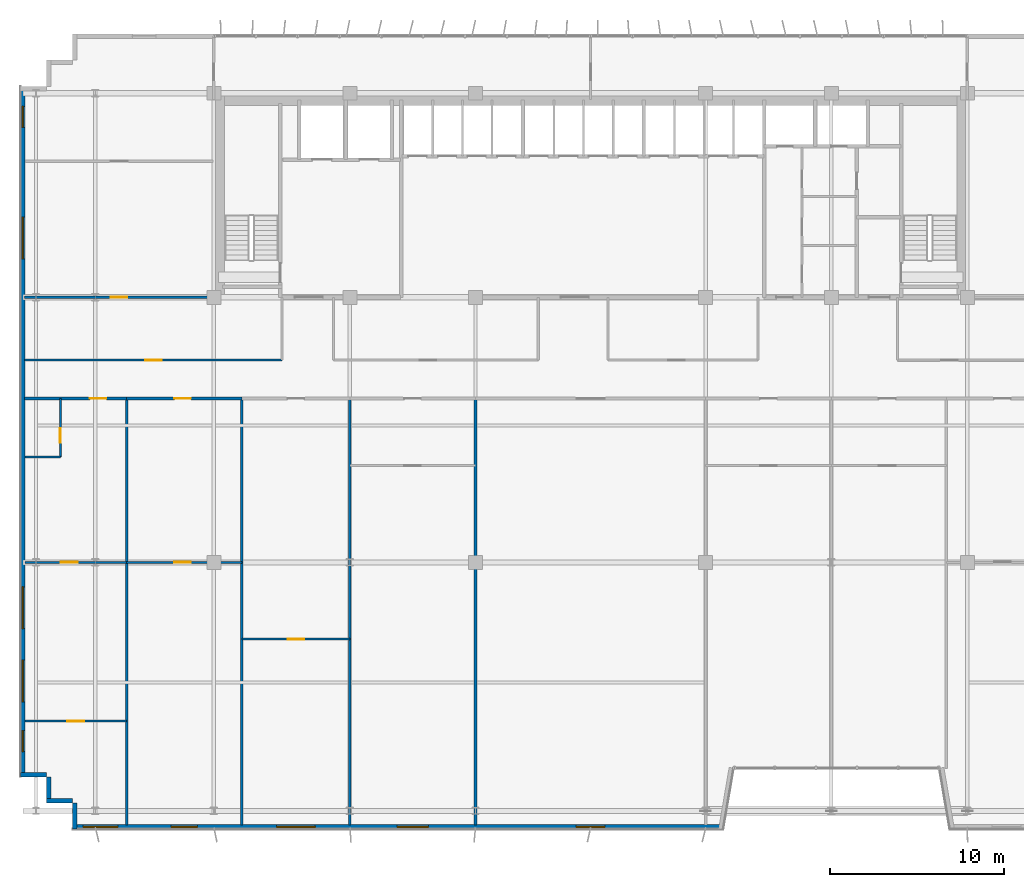
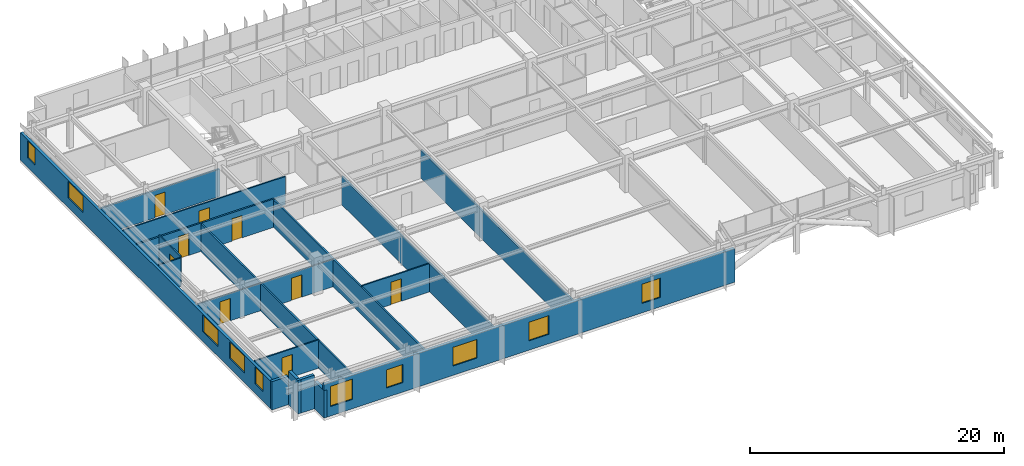
# One storey, part 19 of 26: 20 walls, 10 windows, 9 doors, 19 openings.
"""IFC4 building model written with IfcOpenShell, lengths in metres."""

from ifc_helpers import new_model, si_unit, direction, frame, frame_2d, origin, place, context, subcontext, project, spatial, rectangle, extrude, source, transform, mapped, material, layer, layer_set, type_object, element, fill, save


model = new_model("IFC4")

# Units and contexts
model_context = context("Model", 3, precision=1e-05, world=origin(), true_north=direction((0.0, 1.0)))
body_context = subcontext(model_context, "Body", "Model", "MODEL_VIEW")
ifc_project = project(units=[si_unit("LENGTHUNIT", "METRE"), si_unit("AREAUNIT", "SQUARE_METRE"), si_unit("VOLUMEUNIT", "CUBIC_METRE"), si_unit("PLANEANGLEUNIT", "RADIAN"), si_unit("MASSUNIT", "GRAM", prefix="KILO")], contexts=[model_context])

# Site, building, storey
site_placement = place(None, origin())
site = spatial("IfcSite", under=ifc_project, at=site_placement, CompositionType="ELEMENT")
building_placement = place(site_placement, origin())
building = spatial("IfcBuilding", under=site, at=building_placement, Name="Trelvane Seafront Commons", CompositionType="ELEMENT")
storey_placement = place(building_placement, frame((0.0, 0.0, 128.5)))
storey = spatial("IfcBuildingStorey", under=building, at=storey_placement, Name="L33", CompositionType="ELEMENT", Elevation=128.5)

# Walls
ifc_material_1 = material(Name="Precast concrete C40/50", Category="concrete")
ifc_layer_1 = layer(ifc_material_1, 0.260009765625, Name="ARCH-WALL-EXT260")
ifc_layer_set_1 = layer_set([ifc_layer_1], Name="Precast concrete C40/50")
wall_type_1 = type_object("IfcWallType", Name="ARCH-WALL-EXT260", PredefinedType="SOLIDWALL", material=ifc_layer_set_1)
for number, where, z_axis, x_axis, name in (
    (1, (7.5, 4.530029296875, 0.0), (0.0, 0.0, 1.0), (-1.0, 0.0, 0.0), "EW-L33-00631"),
    (2, (6.1298828125, 4.39990234375, 0.0), (0.0, 0.0, 1.0), (0.0, 1.0, 0.0), "EW-L33-00632"),
):
    element("IfcWall", number, at=place(storey_placement, frame(where, z_axis=z_axis, x_axis=x_axis)), inside=storey, type_object=wall_type_1, Name=name, PredefinedType="SOLIDWALL", context=body_context, shape_type="SweptSolid", body=[
        extrude(rectangle(XDim=1.5, YDim=0.260009765625, at=frame_2d((0.75, 0.0))), origin(), (0.0, 0.0, 1.0), 3.219970703125),
    ])
wall_1_placement = place(storey_placement, frame((6.0, 6.030029296875, 0.0), z_axis=(0.0, 0.0, 1.0), x_axis=(-1.0, 0.0, 0.0)))
element("IfcWall", 3, at=wall_1_placement, inside=storey, type_object=wall_type_1, Name="EW-L33-00633", PredefinedType="SOLIDWALL", context=body_context, shape_type="SweptSolid", body=[
    extrude(rectangle(XDim=1.5, YDim=0.260009765625, at=frame_2d((0.75, 0.0))), origin(), (0.0, 0.0, 1.0), 2.719970703125),
])

# Wall, openings, windows
wall_2_placement = place(storey_placement, frame((4.6298828125, 5.89990234375, 0.0), z_axis=(0.0, 0.0, 1.0), x_axis=(0.0, 1.0, 0.0)))
wall_2 = element("IfcWall", 4, at=wall_2_placement, inside=storey, type_object=wall_type_1, Name="EW-L33-00634", PredefinedType="SOLIDWALL", context=body_context, shape_type="SweptSolid", body=[
    extrude(rectangle(XDim=39.60009765625, YDim=0.260009765625, at=frame_2d((19.800048828125, 0.0))), origin(), (0.0, 0.0, 1.0), 2.632080078125),
])
opening_1_placement = place(wall_2_placement, frame((1.449951171875, 0.0, 0.919921875)))
opening_1 = element("IfcOpeningElement", 5, at=opening_1_placement, cuts=wall_2, Name="Opening W05", PredefinedType="OPENING", context=body_context, shape_type="SweptSolid", body=[
    extrude(rectangle(XDim=1.199951171875, YDim=1.610107421875, at=frame_2d((0.60009765625, 0.80517578125))), frame((0.0, 0.139892578125, 0.0), z_axis=(0.0, -1.0, 0.0), x_axis=(1.0, 0.0, 0.0)), (0.0, 0.0, 1.0), 0.280029296875),
])
opening_2_placement = place(wall_2_placement, frame((4.300048828125, 0.0, 0.919921875)))
opening_2 = element("IfcOpeningElement", 6, at=opening_2_placement, cuts=wall_2, Name="Opening W08", PredefinedType="OPENING", context=body_context, shape_type="SweptSolid", body=[
    extrude(rectangle(XDim=2.39990234375, YDim=1.610107421875, at=frame_2d((1.199951171875, 0.80517578125))), frame((0.0, 0.139892578125, 0.0), z_axis=(0.0, -1.0, 0.0), x_axis=(1.0, 0.0, 0.0)), (0.0, 0.0, 1.0), 0.280029296875),
])
opening_3_placement = place(wall_2_placement, frame((8.5, 0.0, 0.919921875)))
opening_3 = element("IfcOpeningElement", 7, at=opening_3_placement, cuts=wall_2, Name="Opening W08", PredefinedType="OPENING", context=body_context, shape_type="SweptSolid", body=[
    extrude(rectangle(XDim=2.39990234375, YDim=1.610107421875, at=frame_2d((1.199951171875, 0.80517578125))), frame((0.0, 0.139892578125, 0.0), z_axis=(0.0, -1.0, 0.0), x_axis=(1.0, 0.0, 0.0)), (0.0, 0.0, 1.0), 0.280029296875),
])
opening_4_placement = place(wall_2_placement, frame((29.699951171875, 0.0, 0.919921875)))
opening_4 = element("IfcOpeningElement", 8, at=opening_4_placement, cuts=wall_2, Name="Opening W08", PredefinedType="OPENING", context=body_context, shape_type="SweptSolid", body=[
    extrude(rectangle(XDim=2.39990234375, YDim=1.610107421875, at=frame_2d((1.199951171875, 0.80517578125))), frame((0.0, 0.139892578125, 0.0), z_axis=(0.0, -1.0, 0.0), x_axis=(1.0, 0.0, 0.0)), (0.0, 0.0, 1.0), 0.280029296875),
])
opening_5_placement = place(wall_2_placement, frame((37.25, 0.0, 0.919921875)))
opening_5 = element("IfcOpeningElement", 9, at=opening_5_placement, cuts=wall_2, Name="Opening W05", PredefinedType="OPENING", context=body_context, shape_type="SweptSolid", body=[
    extrude(rectangle(XDim=1.199951171875, YDim=1.610107421875, at=frame_2d((0.60009765625, 0.80517578125))), frame((0.0, 0.139892578125, 0.0), z_axis=(0.0, -1.0, 0.0), x_axis=(1.0, 0.0, 0.0)), (0.0, 0.0, 1.0), 0.280029296875),
])
ifc_material_2 = material(Name="Low-E coastal double glazing", Category="glass")
window_type_1 = type_object("IfcWindowType", Name="ARCH-WIN-W05", PartitioningType="SINGLE_PANEL", PredefinedType="WINDOW", material=ifc_material_2)
shared_shape_1 = source(origin(), body_context, "Body", "SweptSolid", [
    extrude(rectangle(XDim=1.199951171875, YDim=1.610107421875, at=frame_2d((0.60009765625, 0.80517578125))), frame((0.0, 0.030029296875, 0.0), z_axis=(0.0, -1.0, 0.0), x_axis=(1.0, 0.0, 0.0)), (0.0, 0.0, 1.0), 0.06005859375),
])
window_1_placement = place(opening_1_placement, origin())
window_1 = element("IfcWindow", 10, at=window_1_placement, inside=storey, type_object=window_type_1, Name="WIN-L33-EW-00741", OverallHeight=1.610107421875, OverallWidth=1.199951171875, PartitioningType="SINGLE_PANEL", PredefinedType="WINDOW", context=body_context, shape_type="MappedRepresentation", body=[
    mapped(shared_shape_1, transform((0.0, 0.0, 0.0), x_axis=(1.0, 0.0, 0.0), y_axis=(0.0, 1.0, 0.0), z_axis=(0.0, 0.0, 1.0), scale=1.0)),
])
fill(opening_1, window_1)
window_2_placement = place(opening_5_placement, origin())
window_2 = element("IfcWindow", 11, at=window_2_placement, inside=storey, type_object=window_type_1, Name="WIN-L33-EW-00745", OverallHeight=1.610107421875, OverallWidth=1.199951171875, PartitioningType="SINGLE_PANEL", PredefinedType="WINDOW", context=body_context, shape_type="MappedRepresentation", body=[
    mapped(shared_shape_1, transform((0.0, 0.0, 0.0), x_axis=(1.0, 0.0, 0.0), y_axis=(0.0, 1.0, 0.0), z_axis=(0.0, 0.0, 1.0), scale=1.0)),
])
fill(opening_5, window_2)
window_type_2 = type_object("IfcWindowType", Name="ARCH-WIN-W08", PartitioningType="SINGLE_PANEL", PredefinedType="WINDOW", material=ifc_material_2)
shared_shape_2 = source(origin(), body_context, "Body", "SweptSolid", [
    extrude(rectangle(XDim=2.39990234375, YDim=1.610107421875, at=frame_2d((1.199951171875, 0.80517578125))), frame((0.0, 0.030029296875, 0.0), z_axis=(0.0, -1.0, 0.0), x_axis=(1.0, 0.0, 0.0)), (0.0, 0.0, 1.0), 0.06005859375),
])
window_3_placement = place(opening_2_placement, origin())
window_3 = element("IfcWindow", 12, at=window_3_placement, inside=storey, type_object=window_type_2, Name="WIN-L33-EW-00742", OverallHeight=1.610107421875, OverallWidth=2.39990234375, PartitioningType="SINGLE_PANEL", PredefinedType="WINDOW", context=body_context, shape_type="MappedRepresentation", body=[
    mapped(shared_shape_2, transform((0.0, 0.0, 0.0), x_axis=(1.0, 0.0, 0.0), y_axis=(0.0, 1.0, 0.0), z_axis=(0.0, 0.0, 1.0), scale=1.0)),
])
fill(opening_2, window_3)
window_4_placement = place(opening_3_placement, origin())
window_4 = element("IfcWindow", 13, at=window_4_placement, inside=storey, type_object=window_type_2, Name="WIN-L33-EW-00743", OverallHeight=1.610107421875, OverallWidth=2.39990234375, PartitioningType="SINGLE_PANEL", PredefinedType="WINDOW", context=body_context, shape_type="MappedRepresentation", body=[
    mapped(shared_shape_2, transform((0.0, 0.0, 0.0), x_axis=(1.0, 0.0, 0.0), y_axis=(0.0, 1.0, 0.0), z_axis=(0.0, 0.0, 1.0), scale=1.0)),
])
fill(opening_3, window_4)
window_5_placement = place(opening_4_placement, origin())
window_5 = element("IfcWindow", 14, at=window_5_placement, inside=storey, type_object=window_type_2, Name="WIN-L33-EW-00744", OverallHeight=1.610107421875, OverallWidth=2.39990234375, PartitioningType="SINGLE_PANEL", PredefinedType="WINDOW", context=body_context, shape_type="MappedRepresentation", body=[
    mapped(shared_shape_2, transform((0.0, 0.0, 0.0), x_axis=(1.0, 0.0, 0.0), y_axis=(0.0, 1.0, 0.0), z_axis=(0.0, 0.0, 1.0), scale=1.0)),
])
fill(opening_4, window_5)

wall_3_placement = place(storey_placement, frame((44.800048828125, 3.030029296875, 0.0), z_axis=(0.0, 0.0, 1.0), x_axis=(-1.0, 0.0, 0.0)))
wall_3 = element("IfcWall", 15, at=wall_3_placement, inside=storey, type_object=wall_type_1, Name="EW-L33-00651", PredefinedType="SOLIDWALL", context=body_context, shape_type="SweptSolid", body=[
    extrude(rectangle(XDim=37.300048828125, YDim=0.260009765625, at=frame_2d((18.64990234375, 0.0))), origin(), (0.0, 0.0, 1.0), 3.219970703125),
])
opening_6_placement = place(wall_3_placement, frame((6.77490234375, 0.0, 0.89990234375)))
opening_6 = element("IfcOpeningElement", 16, at=opening_6_placement, cuts=wall_3, Name="Opening W07", PredefinedType="OPENING", context=body_context, shape_type="SweptSolid", body=[
    extrude(rectangle(XDim=1.64990234375, YDim=1.85009765625, at=frame_2d((0.824951171875, 0.925048828125))), frame((0.0, 0.139892578125, 0.0), z_axis=(0.0, -1.0, 0.0), x_axis=(1.0, 0.0, 0.0)), (0.0, 0.0, 1.0), 0.280029296875),
])
opening_7_placement = place(wall_3_placement, frame((16.89990234375, 0.0, 0.89990234375)))
opening_7 = element("IfcOpeningElement", 17, at=opening_7_placement, cuts=wall_3, Name="Opening W01", PredefinedType="OPENING", context=body_context, shape_type="SweptSolid", body=[
    extrude(rectangle(XDim=1.800048828125, YDim=1.800048828125, at=frame_2d((0.89990234375, 0.89990234375))), frame((0.0, 0.139892578125, 0.0), z_axis=(0.0, -1.0, 0.0), x_axis=(1.0, 0.0, 0.0)), (0.0, 0.0, 1.0), 0.280029296875),
])
opening_8_placement = place(wall_3_placement, frame((23.39990234375, 0.0, 0.89990234375)))
opening_8 = element("IfcOpeningElement", 18, at=opening_8_placement, cuts=wall_3, Name="Opening W02", PredefinedType="OPENING", context=body_context, shape_type="SweptSolid", body=[
    extrude(rectangle(XDim=2.199951171875, YDim=1.800048828125, at=frame_2d((1.10009765625, 0.89990234375))), frame((0.0, 0.139892578125, 0.0), z_axis=(0.0, -1.0, 0.0), x_axis=(1.0, 0.0, 0.0)), (0.0, 0.0, 1.0), 0.280029296875),
])
opening_9_placement = place(wall_3_placement, frame((30.14990234375, 0.0, 0.89990234375)))
opening_9 = element("IfcOpeningElement", 19, at=opening_9_placement, cuts=wall_3, Name="Opening W03", PredefinedType="OPENING", context=body_context, shape_type="SweptSolid", body=[
    extrude(rectangle(XDim=1.5, YDim=1.75, at=frame_2d((0.75, 0.875))), frame((0.0, 0.139892578125, 0.0), z_axis=(0.0, -1.0, 0.0), x_axis=(1.0, 0.0, 0.0)), (0.0, 0.0, 1.0), 0.280029296875),
])
opening_10_placement = place(wall_3_placement, frame((34.705078125, 0.0, 0.89990234375)))
opening_10 = element("IfcOpeningElement", 20, at=opening_10_placement, cuts=wall_3, Name="Opening W06", PredefinedType="OPENING", context=body_context, shape_type="SweptSolid", body=[
    extrude(rectangle(XDim=2.0, YDim=1.949951171875, at=frame_2d((1.0, 0.97509765625))), frame((0.0, 0.139892578125, 0.0), z_axis=(0.0, -1.0, 0.0), x_axis=(1.0, 0.0, 0.0)), (0.0, 0.0, 1.0), 0.280029296875),
])
window_type_3 = type_object("IfcWindowType", Name="ARCH-WIN-W02", PartitioningType="SINGLE_PANEL", PredefinedType="WINDOW", material=ifc_material_2)
shared_shape_3 = source(origin(), body_context, "Body", "SweptSolid", [
    extrude(rectangle(XDim=2.199951171875, YDim=1.800048828125, at=frame_2d((1.10009765625, 0.89990234375))), frame((0.0, 0.030029296875, 0.0), z_axis=(0.0, -1.0, 0.0), x_axis=(1.0, 0.0, 0.0)), (0.0, 0.0, 1.0), 0.06005859375),
])
window_6_placement = place(opening_8_placement, origin())
window_6 = element("IfcWindow", 21, at=window_6_placement, inside=storey, type_object=window_type_3, Name="WIN-L33-00756", OverallHeight=1.800048828125, OverallWidth=2.199951171875, PartitioningType="SINGLE_PANEL", PredefinedType="WINDOW", context=body_context, shape_type="MappedRepresentation", body=[
    mapped(shared_shape_3, transform((0.0, 0.0, 0.0), x_axis=(1.0, 0.0, 0.0), y_axis=(0.0, 1.0, 0.0), z_axis=(0.0, 0.0, 1.0), scale=1.0)),
])
fill(opening_8, window_6)
window_type_4 = type_object("IfcWindowType", Name="ARCH-WIN-W03", PartitioningType="SINGLE_PANEL", PredefinedType="WINDOW", material=ifc_material_2)
shared_shape_4 = source(origin(), body_context, "Body", "SweptSolid", [
    extrude(rectangle(XDim=1.5, YDim=1.75, at=frame_2d((0.75, 0.875))), frame((0.0, 0.030029296875, 0.0), z_axis=(0.0, -1.0, 0.0), x_axis=(1.0, 0.0, 0.0)), (0.0, 0.0, 1.0), 0.06005859375),
])
window_7_placement = place(opening_9_placement, origin())
window_7 = element("IfcWindow", 22, at=window_7_placement, inside=storey, type_object=window_type_4, Name="WIN-L33-00757", OverallHeight=1.75, OverallWidth=1.5, PartitioningType="SINGLE_PANEL", PredefinedType="WINDOW", context=body_context, shape_type="MappedRepresentation", body=[
    mapped(shared_shape_4, transform((0.0, 0.0, 0.0), x_axis=(1.0, 0.0, 0.0), y_axis=(0.0, 1.0, 0.0), z_axis=(0.0, 0.0, 1.0), scale=1.0)),
])
fill(opening_9, window_7)
window_type_5 = type_object("IfcWindowType", Name="ARCH-WIN-W06", PartitioningType="SINGLE_PANEL", PredefinedType="WINDOW", material=ifc_material_2)
shared_shape_5 = source(origin(), body_context, "Body", "SweptSolid", [
    extrude(rectangle(XDim=2.0, YDim=1.949951171875, at=frame_2d((1.0, 0.97509765625))), frame((0.0, 0.030029296875, 0.0), z_axis=(0.0, -1.0, 0.0), x_axis=(1.0, 0.0, 0.0)), (0.0, 0.0, 1.0), 0.06005859375),
])
window_8_placement = place(opening_10_placement, origin())
window_8 = element("IfcWindow", 23, at=window_8_placement, inside=storey, type_object=window_type_5, Name="WIN-L33-00758", OverallHeight=1.949951171875, OverallWidth=2.0, PartitioningType="SINGLE_PANEL", PredefinedType="WINDOW", context=body_context, shape_type="MappedRepresentation", body=[
    mapped(shared_shape_5, transform((0.0, 0.0, 0.0), x_axis=(1.0, 0.0, 0.0), y_axis=(0.0, 1.0, 0.0), z_axis=(0.0, 0.0, 1.0), scale=1.0)),
])
fill(opening_10, window_8)
window_type_6 = type_object("IfcWindowType", Name="ARCH-WIN-W01", PartitioningType="SINGLE_PANEL", PredefinedType="WINDOW", material=ifc_material_2)
shared_shape_6 = source(origin(), body_context, "Body", "SweptSolid", [
    extrude(rectangle(XDim=1.800048828125, YDim=1.800048828125, at=frame_2d((0.89990234375, 0.89990234375))), frame((0.0, 0.030029296875, 0.0), z_axis=(0.0, -1.0, 0.0), x_axis=(1.0, 0.0, 0.0)), (0.0, 0.0, 1.0), 0.06005859375),
])
window_9_placement = place(opening_7_placement, origin())
window_9 = element("IfcWindow", 24, at=window_9_placement, inside=storey, type_object=window_type_6, Name="WIN-L33-00755", OverallHeight=1.800048828125, OverallWidth=1.800048828125, PartitioningType="SINGLE_PANEL", PredefinedType="WINDOW", context=body_context, shape_type="MappedRepresentation", body=[
    mapped(shared_shape_6, transform((0.0, 0.0, 0.0), x_axis=(1.0, 0.0, 0.0), y_axis=(0.0, 1.0, 0.0), z_axis=(0.0, 0.0, 1.0), scale=1.0)),
])
fill(opening_7, window_9)
window_type_7 = type_object("IfcWindowType", Name="ARCH-WIN-W07", PartitioningType="SINGLE_PANEL", PredefinedType="WINDOW", material=ifc_material_2)
shared_shape_7 = source(origin(), body_context, "Body", "SweptSolid", [
    extrude(rectangle(XDim=1.64990234375, YDim=1.85009765625, at=frame_2d((0.824951171875, 0.925048828125))), frame((0.0, 0.030029296875, 0.0), z_axis=(0.0, -1.0, 0.0), x_axis=(1.0, 0.0, 0.0)), (0.0, 0.0, 1.0), 0.06005859375),
])
window_10_placement = place(opening_6_placement, origin())
window_10 = element("IfcWindow", 25, at=window_10_placement, inside=storey, type_object=window_type_7, Name="WIN-L33-00754", OverallHeight=1.85009765625, OverallWidth=1.64990234375, PartitioningType="SINGLE_PANEL", PredefinedType="WINDOW", context=body_context, shape_type="MappedRepresentation", body=[
    mapped(shared_shape_7, transform((0.0, 0.0, 0.0), x_axis=(1.0, 0.0, 0.0), y_axis=(0.0, 1.0, 0.0), z_axis=(0.0, 0.0, 1.0), scale=1.0)),
])
fill(opening_6, window_10)

# Wall
wall_4_placement = place(storey_placement, frame((7.6298828125, 2.89990234375, 0.0), z_axis=(0.0, 0.0, 1.0), x_axis=(0.0, 1.0, 0.0)))
element("IfcWall", 26, at=wall_4_placement, inside=storey, type_object=wall_type_1, Name="EW-L33-00652", PredefinedType="SOLIDWALL", context=body_context, shape_type="SweptSolid", body=[
    extrude(rectangle(XDim=1.5, YDim=0.260009765625, at=frame_2d((0.75, 0.0))), origin(), (0.0, 0.0, 1.0), 2.632080078125),
])

# Wall, opening, door
ifc_material_3 = material(Name="Gypsum Drywall Acoustic Partition")
ifc_layer_2 = layer(ifc_material_3, 0.1201171875, Name="ARCH-WALL-PART120")
ifc_layer_set_2 = layer_set([ifc_layer_2], Name="Gypsum Drywall Acoustic Partition")
wall_type_2 = type_object("IfcWallType", Name="ARCH-WALL-PART120", PredefinedType="PARTITIONING", material=ifc_layer_set_2)
wall_5_placement = place(storey_placement, frame((4.75, 29.800048828125, 0.0), z_axis=(0.0, 0.0, 1.0), x_axis=(1.0, 0.0, 0.0)))
wall_5 = element("IfcWall", 27, at=wall_5_placement, inside=storey, type_object=wall_type_2, Name="W-L33-CORR-N-W-039", PredefinedType="PARTITIONING", context=body_context, shape_type="SweptSolid", body=[
    extrude(rectangle(XDim=14.75, YDim=0.1201171875, at=frame_2d((7.375, 0.0))), origin(), (0.0, 0.0, 1.0), 2.719970703125),
])
opening_11_placement = place(wall_5_placement, frame((6.89990234375, 0.0, 0.0)))
opening_11 = element("IfcOpeningElement", 28, at=opening_11_placement, cuts=wall_5, Name="Opening D-L33-27", PredefinedType="OPENING", context=body_context, shape_type="SweptSolid", body=[
    extrude(rectangle(XDim=0.949951171875, YDim=2.14990234375, at=frame_2d((0.47509765625, 1.074951171875))), frame((0.0, 0.070068359375, 0.0), z_axis=(0.0, -1.0, 0.0), x_axis=(1.0, 0.0, 0.0)), (0.0, 0.0, 1.0), 0.14013671875),
])
ifc_material_4 = material(Name="Acoustic timber door leaf", Category="wood")
door_type_1 = type_object("IfcDoorType", Name="ARCH-DR-INT950", OperationType="NOTDEFINED", PredefinedType="DOOR", material=ifc_material_4)
shared_shape_8 = source(origin(), body_context, "Body", "SweptSolid", [
    extrude(rectangle(XDim=0.949951171875, YDim=2.14990234375, at=frame_2d((0.47509765625, 1.074951171875))), frame((0.0, 0.02490234375, 0.0), z_axis=(0.0, -1.0, 0.0), x_axis=(1.0, 0.0, 0.0)), (0.0, 0.0, 1.0), 0.050048828125),
])
door_1_placement = place(opening_11_placement, origin())
door_1 = element("IfcDoor", 29, at=door_1_placement, inside=storey, type_object=door_type_1, Name="L33 Door 27", OperationType="SINGLE_SWING_LEFT", OverallHeight=2.14990234375, OverallWidth=0.949951171875, PredefinedType="DOOR", context=body_context, shape_type="MappedRepresentation", body=[
    mapped(shared_shape_8, transform((0.0, 0.0, 0.0), x_axis=(1.0, 0.0, 0.0), y_axis=(0.0, 1.0, 0.0), z_axis=(0.0, 0.0, 1.0), scale=1.0)),
])
fill(opening_11, door_1)

wall_6_placement = place(storey_placement, frame((4.760009765625, 18.199951171875, 0.0), z_axis=(0.0, 0.0, 1.0), x_axis=(1.0, 0.0, 0.0)))
wall_6 = element("IfcWall", 30, at=wall_6_placement, inside=storey, type_object=wall_type_2, Name="W-L33-U1-KL-064", PredefinedType="PARTITIONING", context=body_context, shape_type="SweptSolid", body=[
    extrude(rectangle(XDim=5.840087890625, YDim=0.1201171875, at=frame_2d((2.919921875, 0.0))), origin(), (0.0, 0.0, 1.0), 2.632080078125),
])
opening_12_placement = place(wall_6_placement, frame((2.070068359375, 0.0, 0.0)))
opening_12 = element("IfcOpeningElement", 31, at=opening_12_placement, cuts=wall_6, Name="Opening D-L33-38", PredefinedType="OPENING", context=body_context, shape_type="SweptSolid", body=[
    extrude(rectangle(XDim=0.949951171875, YDim=2.14990234375, at=frame_2d((0.47509765625, 1.074951171875))), frame((0.0, 0.070068359375, 0.0), z_axis=(0.0, -1.0, 0.0), x_axis=(1.0, 0.0, 0.0)), (0.0, 0.0, 1.0), 0.14013671875),
])
door_2_placement = place(opening_12_placement, origin())
door_2 = element("IfcDoor", 32, at=door_2_placement, inside=storey, type_object=door_type_1, Name="L33 Door 38", OperationType="SINGLE_SWING_RIGHT", OverallHeight=2.14990234375, OverallWidth=0.949951171875, PredefinedType="DOOR", context=body_context, shape_type="MappedRepresentation", body=[
    mapped(shared_shape_8, transform((0.0, 0.0, 0.0), x_axis=(1.0, 0.0, 0.0), y_axis=(0.0, 1.0, 0.0), z_axis=(0.0, 0.0, 1.0), scale=1.0)),
])
fill(opening_12, door_2)

wall_7_placement = place(storey_placement, frame((6.795654296875, 24.25, 0.0), z_axis=(0.0, 0.0, 1.0), x_axis=(0.0, 1.0, 0.0)))
wall_7 = element("IfcWall", 33, at=wall_7_placement, inside=storey, type_object=wall_type_2, Name="W-L33-U1-BE-065", PredefinedType="PARTITIONING", context=body_context, shape_type="SweptSolid", body=[
    extrude(rectangle(XDim=3.35009765625, YDim=0.1201171875, at=frame_2d((1.675048828125, 0.0))), origin(), (0.0, 0.0, 1.0), 2.8701171875),
])
opening_13_placement = place(wall_7_placement, frame((0.800048828125, 0.0, 0.0)))
opening_13 = element("IfcOpeningElement", 34, at=opening_13_placement, cuts=wall_7, Name="Opening D-L33-39", PredefinedType="OPENING", context=body_context, shape_type="SweptSolid", body=[
    extrude(rectangle(XDim=0.85009765625, YDim=2.10009765625, at=frame_2d((0.425048828125, 1.050048828125))), frame((0.0, 0.070068359375, 0.0), z_axis=(0.0, -1.0, 0.0), x_axis=(1.0, 0.0, 0.0)), (0.0, 0.0, 1.0), 0.14013671875),
])
door_type_2 = type_object("IfcDoorType", Name="ARCH-DR-INT850", OperationType="NOTDEFINED", PredefinedType="DOOR", material=ifc_material_4)
shared_shape_9 = source(origin(), body_context, "Body", "SweptSolid", [
    extrude(rectangle(XDim=0.85009765625, YDim=2.10009765625, at=frame_2d((0.425048828125, 1.050048828125))), frame((0.0, 0.02490234375, 0.0), z_axis=(0.0, -1.0, 0.0), x_axis=(1.0, 0.0, 0.0)), (0.0, 0.0, 1.0), 0.050048828125),
])
door_3_placement = place(opening_13_placement, origin())
door_3 = element("IfcDoor", 35, at=door_3_placement, inside=storey, type_object=door_type_2, Name="L33 Door 39", OperationType="SINGLE_SWING_LEFT", OverallHeight=2.10009765625, OverallWidth=0.85009765625, PredefinedType="DOOR", context=body_context, shape_type="MappedRepresentation", body=[
    mapped(shared_shape_9, transform((0.0, 0.0, 0.0), x_axis=(1.0, 0.0, 0.0), y_axis=(0.0, 1.0, 0.0), z_axis=(0.0, 0.0, 1.0), scale=1.0)),
])
fill(opening_13, door_3)

# Wall
wall_8_placement = place(storey_placement, frame((4.760009765625, 24.25, 0.0), z_axis=(0.0, 0.0, 1.0), x_axis=(1.0, 0.0, 0.0)))
element("IfcWall", 36, at=wall_8_placement, inside=storey, type_object=wall_type_2, Name="W-L33-U1-BS-066", PredefinedType="PARTITIONING", context=body_context, shape_type="SweptSolid", body=[
    extrude(rectangle(XDim=2.03564453125, YDim=0.1201171875, at=frame_2d((1.017822265625, 0.0))), origin(), (0.0, 0.0, 1.0), 2.719970703125),
])

# Wall, opening, door
wall_9_placement = place(storey_placement, frame((4.760009765625, 9.10009765625, 0.0), z_axis=(0.0, 0.0, 1.0), x_axis=(1.0, 0.0, 0.0)))
wall_9 = element("IfcWall", 37, at=wall_9_placement, inside=storey, type_object=wall_type_2, Name="W-L33-U1-YM-1-068", PredefinedType="PARTITIONING", context=body_context, shape_type="SweptSolid", body=[
    extrude(rectangle(XDim=5.840087890625, YDim=0.1201171875, at=frame_2d((2.919921875, 0.0))), origin(), (0.0, 0.0, 1.0), 2.719970703125),
])
opening_14_placement = place(wall_9_placement, frame((2.445068359375, 0.0, 0.0)))
opening_14 = element("IfcOpeningElement", 38, at=opening_14_placement, cuts=wall_9, Name="Opening D-L33-41", PredefinedType="OPENING", context=body_context, shape_type="SweptSolid", body=[
    extrude(rectangle(XDim=0.949951171875, YDim=2.14990234375, at=frame_2d((0.47509765625, 1.074951171875))), frame((0.0, 0.070068359375, 0.0), z_axis=(0.0, -1.0, 0.0), x_axis=(1.0, 0.0, 0.0)), (0.0, 0.0, 1.0), 0.14013671875),
])
door_4_placement = place(opening_14_placement, origin())
door_4 = element("IfcDoor", 39, at=door_4_placement, inside=storey, type_object=door_type_1, Name="L33 Door 41", OperationType="SINGLE_SWING_LEFT", OverallHeight=2.14990234375, OverallWidth=0.949951171875, PredefinedType="DOOR", context=body_context, shape_type="MappedRepresentation", body=[
    mapped(shared_shape_8, transform((0.0, 0.0, 0.0), x_axis=(1.0, 0.0, 0.0), y_axis=(0.0, 1.0, 0.0), z_axis=(0.0, 0.0, 1.0), scale=1.0)),
])
fill(opening_14, door_4)

wall_10_placement = place(storey_placement, frame((10.60009765625, 18.199951171875, 0.0), z_axis=(0.0, 0.0, 1.0), x_axis=(1.0, 0.0, 0.0)))
wall_10 = element("IfcWall", 40, at=wall_10_placement, inside=storey, type_object=wall_type_2, Name="W-L33-U2-DIV-070", PredefinedType="PARTITIONING", context=body_context, shape_type="SweptSolid", body=[
    extrude(rectangle(XDim=6.599853515625, YDim=0.1201171875, at=frame_2d((3.2998046875, 0.0))), origin(), (0.0, 0.0, 1.0), 2.632080078125),
])
opening_15_placement = place(wall_10_placement, frame((2.73388671875, 0.0, 0.0)))
opening_15 = element("IfcOpeningElement", 41, at=opening_15_placement, cuts=wall_10, Name="Opening D-L33-43", PredefinedType="OPENING", context=body_context, shape_type="SweptSolid", body=[
    extrude(rectangle(XDim=0.949951171875, YDim=2.14990234375, at=frame_2d((0.47509765625, 1.074951171875))), frame((0.0, 0.070068359375, 0.0), z_axis=(0.0, -1.0, 0.0), x_axis=(1.0, 0.0, 0.0)), (0.0, 0.0, 1.0), 0.14013671875),
])
door_5_placement = place(opening_15_placement, origin())
door_5 = element("IfcDoor", 42, at=door_5_placement, inside=storey, type_object=door_type_1, Name="L33 Door 43", OperationType="SINGLE_SWING_LEFT", OverallHeight=2.14990234375, OverallWidth=0.949951171875, PredefinedType="DOOR", context=body_context, shape_type="MappedRepresentation", body=[
    mapped(shared_shape_8, transform((0.0, 0.0, 0.0), x_axis=(1.0, 0.0, 0.0), y_axis=(0.0, 1.0, 0.0), z_axis=(0.0, 0.0, 1.0), scale=1.0)),
])
fill(opening_15, door_5)

wall_11_placement = place(storey_placement, frame((17.199951171875, 13.800048828125, 0.0), z_axis=(0.0, 0.0, 1.0), x_axis=(1.0, 0.0, 0.0)))
wall_11 = element("IfcWall", 43, at=wall_11_placement, inside=storey, type_object=wall_type_2, Name="W-L33-U3-DIV-072", PredefinedType="PARTITIONING", context=body_context, shape_type="SweptSolid", body=[
    extrude(rectangle(XDim=6.199951171875, YDim=0.1201171875, at=frame_2d((3.10009765625, 0.0))), origin(), (0.0, 0.0, 1.0), 2.719970703125),
])
opening_16_placement = place(wall_11_placement, frame((2.625, 0.0, 0.0)))
opening_16 = element("IfcOpeningElement", 44, at=opening_16_placement, cuts=wall_11, Name="Opening D-L33-45", PredefinedType="OPENING", context=body_context, shape_type="SweptSolid", body=[
    extrude(rectangle(XDim=0.949951171875, YDim=2.14990234375, at=frame_2d((0.47509765625, 1.074951171875))), frame((0.0, 0.070068359375, 0.0), z_axis=(0.0, -1.0, 0.0), x_axis=(1.0, 0.0, 0.0)), (0.0, 0.0, 1.0), 0.14013671875),
])
door_6_placement = place(opening_16_placement, origin())
door_6 = element("IfcDoor", 45, at=door_6_placement, inside=storey, type_object=door_type_1, Name="L33 Door 45", OperationType="SINGLE_SWING_LEFT", OverallHeight=2.14990234375, OverallWidth=0.949951171875, PredefinedType="DOOR", context=body_context, shape_type="MappedRepresentation", body=[
    mapped(shared_shape_8, transform((0.0, 0.0, 0.0), x_axis=(1.0, 0.0, 0.0), y_axis=(0.0, 1.0, 0.0), z_axis=(0.0, 0.0, 1.0), scale=1.0)),
])
fill(opening_16, door_6)

ifc_layer_3 = layer(ifc_material_3, 0.14990234375, Name="ARCH-WALL-PART150")
ifc_layer_set_3 = layer_set([ifc_layer_3], Name="Gypsum Drywall Acoustic Partition")
wall_type_3 = type_object("IfcWallType", Name="ARCH-WALL-PART150", PredefinedType="PARTITIONING", material=ifc_layer_set_3)
wall_12_placement = place(storey_placement, frame((4.75, 33.39990234375, 0.0), z_axis=(0.0, 0.0, 1.0), x_axis=(1.0, 0.0, 0.0)))
wall_12 = element("IfcWall", 46, at=wall_12_placement, inside=storey, type_object=wall_type_3, Name="W-L33-NW-ENT-051", PredefinedType="PARTITIONING", context=body_context, shape_type="SweptSolid", body=[
    extrude(rectangle(XDim=10.85009765625, YDim=0.14990234375, at=frame_2d((5.425048828125, 0.0))), origin(), (0.0, 0.0, 1.0), 2.632080078125),
])
opening_17_placement = place(wall_12_placement, frame((4.93994140625, 0.0, 0.0)))
opening_17 = element("IfcOpeningElement", 47, at=opening_17_placement, cuts=wall_12, Name="Opening FD-L33-33", PredefinedType="OPENING", context=body_context, shape_type="SweptSolid", body=[
    extrude(rectangle(XDim=0.949951171875, YDim=2.14990234375, at=frame_2d((0.47509765625, 1.074951171875))), frame((0.0, 0.0849609375, 0.0), z_axis=(0.0, -1.0, 0.0), x_axis=(1.0, 0.0, 0.0)), (0.0, 0.0, 1.0), 0.169921875),
])
ifc_material_5 = material(Name="Powder-coated aluminium frame", Category="aluminium")
door_type_3 = type_object("IfcDoorType", Name="ARCH-DR-FD60-950", OperationType="NOTDEFINED", PredefinedType="DOOR", material=ifc_material_5)
door_7_placement = place(opening_17_placement, origin())
door_7 = element("IfcDoor", 48, at=door_7_placement, inside=storey, type_object=door_type_3, Name="L33 NW Suite Entrance Door", OperationType="SINGLE_SWING_LEFT", OverallHeight=2.14990234375, OverallWidth=0.949951171875, PredefinedType="DOOR", context=body_context, shape_type="MappedRepresentation", body=[
    mapped(shared_shape_8, transform((0.0, 0.0, 0.0), x_axis=(1.0, 0.0, 0.0), y_axis=(0.0, 1.0, 0.0), z_axis=(0.0, 0.0, 1.0), scale=1.0)),
])
fill(opening_17, door_7)

# Walls
for number, where, z_axis, x_axis, name in (
    (49, (10.60009765625, 3.14501953125, 0.0), (0.0, 0.0, 1.0), (0.0, 1.0, 0.0), "W-L33-PW-1-056"),
    (50, (17.199951171875, 3.14501953125, 0.0), (0.0, 0.0, 1.0), (0.0, 1.0, 0.0), "W-L33-PW-2-057"),
):
    element("IfcWall", number, at=place(storey_placement, frame(where, z_axis=z_axis, x_axis=x_axis)), inside=storey, type_object=wall_type_3, Name=name, PredefinedType="PARTITIONING", context=body_context, shape_type="SweptSolid", body=[
        extrude(rectangle(XDim=24.455078125, YDim=0.14990234375, at=frame_2d((12.2275390625, 0.0))), origin(), (0.0, 0.0, 1.0), 2.632080078125),
    ])
for number, where, z_axis, x_axis, name in (
    (51, (23.39990234375, 3.14501953125, 0.0), (0.0, 0.0, 1.0), (0.0, 1.0, 0.0), "W-L33-PW-3-058"),
    (52, (30.60009765625, 3.14501953125, 0.0), (0.0, 0.0, 1.0), (0.0, 1.0, 0.0), "W-L33-PW-4-059"),
):
    element("IfcWall", number, at=place(storey_placement, frame(where, z_axis=z_axis, x_axis=x_axis)), inside=storey, type_object=wall_type_3, Name=name, PredefinedType="PARTITIONING", context=body_context, shape_type="SweptSolid", body=[
        extrude(rectangle(XDim=24.455078125, YDim=0.14990234375, at=frame_2d((12.2275390625, 0.0))), origin(), (0.0, 0.0, 1.0), 2.719970703125),
    ])

# Wall, opening, door
wall_13_placement = place(storey_placement, frame((4.7451171875, 27.60009765625, 0.0), z_axis=(0.0, 0.0, 1.0), x_axis=(1.0, 0.0, 0.0)))
wall_13 = element("IfcWall", 53, at=wall_13_placement, inside=storey, type_object=wall_type_3, Name="W-L33-CS-BAY-1-067", PredefinedType="PARTITIONING", context=body_context, shape_type="SweptSolid", body=[
    extrude(rectangle(XDim=5.85498046875, YDim=0.14990234375, at=frame_2d((2.927490234375, 0.0))), origin(), (0.0, 0.0, 1.0), 2.719970703125),
])
opening_18_placement = place(wall_13_placement, frame((3.742919921875, 0.0, 0.0)))
opening_18 = element("IfcOpeningElement", 54, at=opening_18_placement, cuts=wall_13, Name="Opening FD-L33-40", PredefinedType="OPENING", context=body_context, shape_type="SweptSolid", body=[
    extrude(rectangle(XDim=0.949951171875, YDim=2.14990234375, at=frame_2d((0.47509765625, 1.074951171875))), frame((0.0, 0.0849609375, 0.0), z_axis=(0.0, -1.0, 0.0), x_axis=(1.0, 0.0, 0.0)), (0.0, 0.0, 1.0), 0.169921875),
])
door_8_placement = place(opening_18_placement, origin())
door_8 = element("IfcDoor", 55, at=door_8_placement, inside=storey, type_object=door_type_3, Name="L33 Unit 01 Entrance Door", OperationType="SINGLE_SWING_RIGHT", OverallHeight=2.14990234375, OverallWidth=0.949951171875, PredefinedType="DOOR", context=body_context, shape_type="MappedRepresentation", body=[
    mapped(shared_shape_8, transform((0.0, 0.0, 0.0), x_axis=(1.0, 0.0, 0.0), y_axis=(0.0, 1.0, 0.0), z_axis=(0.0, 0.0, 1.0), scale=1.0)),
])
fill(opening_18, door_8)

wall_14_placement = place(storey_placement, frame((10.60009765625, 27.60009765625, 0.0), z_axis=(0.0, 0.0, 1.0), x_axis=(1.0, 0.0, 0.0)))
wall_14 = element("IfcWall", 56, at=wall_14_placement, inside=storey, type_object=wall_type_3, Name="W-L33-CS-BAY-2-069", PredefinedType="PARTITIONING", context=body_context, shape_type="SweptSolid", body=[
    extrude(rectangle(XDim=6.599853515625, YDim=0.14990234375, at=frame_2d((3.2998046875, 0.0))), origin(), (0.0, 0.0, 1.0), 2.719970703125),
])
opening_19_placement = place(wall_14_placement, frame((2.73388671875, 0.0, 0.0)))
opening_19 = element("IfcOpeningElement", 57, at=opening_19_placement, cuts=wall_14, Name="Opening FD-L33-42", PredefinedType="OPENING", context=body_context, shape_type="SweptSolid", body=[
    extrude(rectangle(XDim=0.949951171875, YDim=2.14990234375, at=frame_2d((0.47509765625, 1.074951171875))), frame((0.0, 0.0849609375, 0.0), z_axis=(0.0, -1.0, 0.0), x_axis=(1.0, 0.0, 0.0)), (0.0, 0.0, 1.0), 0.169921875),
])
door_9_placement = place(opening_19_placement, origin())
door_9 = element("IfcDoor", 58, at=door_9_placement, inside=storey, type_object=door_type_3, Name="L33 Bay 02 Entrance Door", OperationType="SINGLE_SWING_RIGHT", OverallHeight=2.14990234375, OverallWidth=0.949951171875, PredefinedType="DOOR", context=body_context, shape_type="MappedRepresentation", body=[
    mapped(shared_shape_8, transform((0.0, 0.0, 0.0), x_axis=(1.0, 0.0, 0.0), y_axis=(0.0, 1.0, 0.0), z_axis=(0.0, 0.0, 1.0), scale=1.0)),
])
fill(opening_19, door_9)

save(model, "model.ifc")
